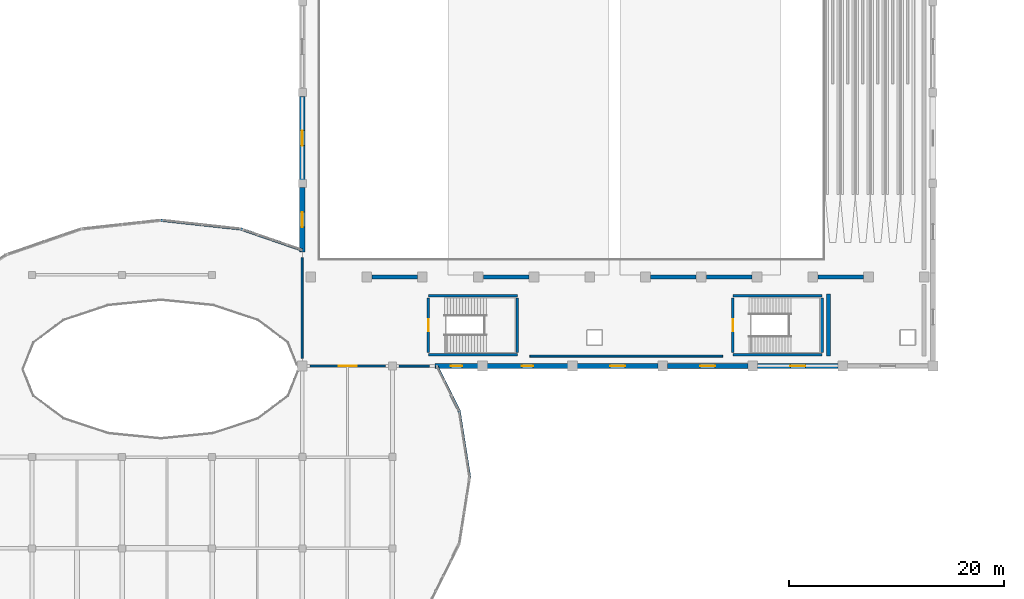
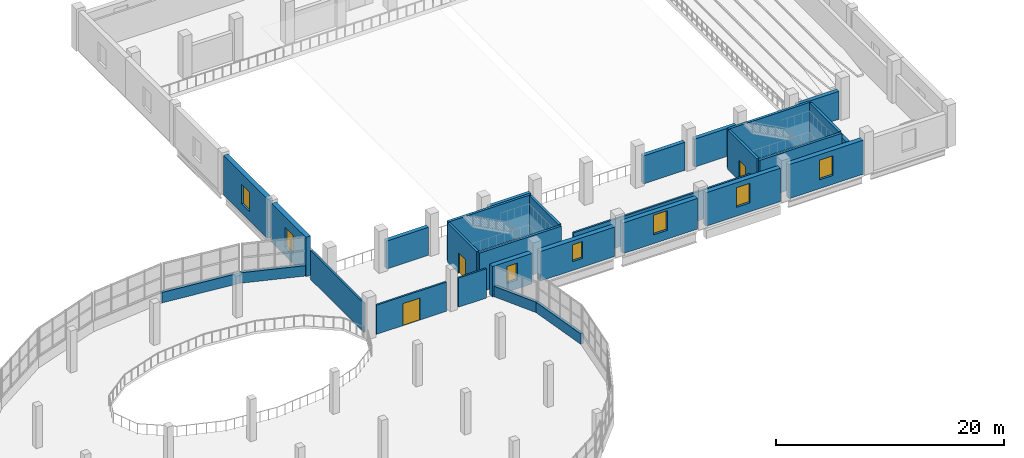
# One storey, part 36 of 50: 29 walls, 7 windows, 3 doors, 10 openings.
"""IFC4 building model written with IfcOpenShell, lengths in metres."""

from ifc_helpers import new_model, si_unit, direction, frame, frame_2d, origin, place, context, subcontext, project, spatial, rectangle, extrude, material, layer, layer_set, type_object, element, fill, save


model = new_model("IFC4")

# Units and contexts
model_context = context("Model", 3, precision=1e-05, world=origin(), true_north=direction((0.0, 1.0)))
body_context = subcontext(model_context, "Body", "Model", "MODEL_VIEW")
ifc_project = project(units=[si_unit("LENGTHUNIT", "METRE"), si_unit("AREAUNIT", "SQUARE_METRE"), si_unit("VOLUMEUNIT", "CUBIC_METRE"), si_unit("PLANEANGLEUNIT", "RADIAN"), si_unit("MASSUNIT", "GRAM", prefix="KILO")], contexts=[model_context])

# Site, building, storey
site_placement = place(None, origin())
site = spatial("IfcSite", under=ifc_project, at=site_placement, CompositionType="ELEMENT")
building_placement = place(site_placement, origin())
building = spatial("IfcBuilding", under=site, at=building_placement, Name="Solvento Point Concert Hall", CompositionType="ELEMENT")
storey_placement = place(building_placement, frame((0.0, 0.0, 15.0)))
storey = spatial("IfcBuildingStorey", under=building, at=storey_placement, Name="L03", CompositionType="ELEMENT", Elevation=15.0)

# Wall
ifc_material_1 = material(Name="Acoustic Double-Stud Gypsum Partition")
ifc_layer_1 = layer(ifc_material_1, 0.179931640625)
ifc_layer_set_1 = layer_set([ifc_layer_1], Name="Acoustic Double-Stud Gypsum Partition")
wall_type_1 = type_object("IfcWallType", Name="AcousticPartition_180", PredefinedType="PARTITIONING", material=ifc_layer_set_1)
wall_1_placement = place(storey_placement, frame((113.580078125, 43.419921875, 0.0), z_axis=(0.0, 0.0, 1.0), x_axis=(-1.0, 0.0, 0.0)))
element("IfcWall", 1, at=wall_1_placement, inside=storey, type_object=wall_type_1, Name="Interior acoustic partition PW-63 L03", PredefinedType="PARTITIONING", context=body_context, shape_type="SweptSolid", body=[
    extrude(rectangle(XDim=17.9599609375, YDim=0.179931640625, at=frame_2d((8.97998046875, 0.0))), origin(), (0.0, 0.0, 1.0), 3.1298828125),
])

# Wall, opening, door
wall_2_placement = place(storey_placement, frame((75.10009765625, 42.47998046875, 0.0), z_axis=(0.0, 0.0, 1.0), x_axis=(1.0, 0.0, 0.0)))
wall_2 = element("IfcWall", 2, at=wall_2_placement, inside=storey, type_object=wall_type_1, Name="Interior acoustic partition PW-63 L03", PredefinedType="PARTITIONING", context=body_context, shape_type="SweptSolid", body=[
    extrude(rectangle(XDim=7.074951171875, YDim=0.179931640625, at=frame_2d((3.53759765625, 0.0))), origin(), (0.0, 0.0, 1.0), 3.1298828125),
])
opening_1_placement = place(wall_2_placement, frame((2.677490234375, 0.0, 0.0)))
opening_1 = element("IfcOpeningElement", 3, at=opening_1_placement, cuts=wall_2, Name="Opening DR-35", PredefinedType="OPENING", context=body_context, shape_type="SweptSolid", body=[
    extrude(rectangle(XDim=1.719970703125, YDim=2.360107421875, at=frame_2d((0.85986328125, 1.18017578125))), frame((0.0, 0.099853515625, 0.0), z_axis=(0.0, -1.0, 0.0), x_axis=(1.0, 0.0, 0.0)), (0.0, 0.0, 1.0), 0.199951171875),
])
ifc_material_2 = material(Name="Brazilian Hardwood Acoustic Door", Category="wood")
door_type_1 = type_object("IfcDoorType", Name="IntDoor_FoyerCafeRetail", OperationType="NOTDEFINED", PredefinedType="DOOR", material=ifc_material_2)
door_1_placement = place(opening_1_placement, origin())
door_1 = element("IfcDoor", 4, at=door_1_placement, inside=storey, type_object=door_type_1, Name="Interior door DR-35 L03", OperationType="SINGLE_SWING_LEFT", OverallHeight=2.360107421875, OverallWidth=1.719970703125, PredefinedType="DOOR", context=body_context, shape_type="SweptSolid", body=[
    extrude(rectangle(XDim=1.719970703125, YDim=2.360107421875, at=frame_2d((0.85986328125, 1.18017578125))), frame((0.0, 0.02490234375, 0.0), z_axis=(0.0, -1.0, 0.0), x_axis=(1.0, 0.0, 0.0)), (0.0, 0.0, 1.0), 0.050048828125),
])
fill(opening_1, door_1)

# Walls
wall_3_placement = place(storey_placement, frame((83.425048828125, 42.47998046875, 0.0), z_axis=(0.0, 0.0, 1.0), x_axis=(1.0, 0.0, 0.0)))
element("IfcWall", 5, at=wall_3_placement, inside=storey, type_object=wall_type_1, Name="Interior acoustic partition PW-63 L03", PredefinedType="PARTITIONING", context=body_context, shape_type="SweptSolid", body=[
    extrude(rectangle(XDim=2.812744140625, YDim=0.179931640625, at=frame_2d((1.40625, 0.0))), origin(), (0.0, 0.0, 1.0), 3.1298828125),
])
wall_4_placement = place(storey_placement, frame((74.3798828125, 52.59912109375, 0.0), z_axis=(0.0, 0.0, 1.0), x_axis=(0.0, -1.0, 0.0)))
element("IfcWall", 6, at=wall_4_placement, inside=storey, type_object=wall_type_1, Name="Interior acoustic partition PW-63 L03", PredefinedType="PARTITIONING", context=body_context, shape_type="SweptSolid", body=[
    extrude(rectangle(XDim=9.399169921875, YDim=0.179931640625, at=frame_2d((4.69970703125, 0.0))), origin(), (0.0, 0.0, 1.0), 3.1298828125),
])
ifc_material_3 = material(Name="Acoustic Double-Stud Gypsum Partition")
ifc_layer_2 = layer(ifc_material_3, 0.364990234375)
ifc_layer_set_2 = layer_set([ifc_layer_2], Name="Acoustic Double-Stud Gypsum Partition")
wall_type_2 = type_object("IfcWallType", Name="AcousticPartition_365", PredefinedType="PARTITIONING", material=ifc_layer_set_2)
wall_5_placement = place(storey_placement, frame((123.469970703125, 43.419921875, 0.0), z_axis=(0.0, 0.0, 1.0), x_axis=(0.0, 1.0, 0.0)))
element("IfcWall", 7, at=wall_5_placement, inside=storey, type_object=wall_type_2, Name="Interior acoustic partition PW-43 L03", PredefinedType="PARTITIONING", context=body_context, shape_type="SweptSolid", body=[
    extrude(rectangle(XDim=5.780517578125, YDim=0.364990234375, at=frame_2d((2.89013671875, 0.0))), origin(), (0.0, 0.0, 1.0), 3.1298828125),
])
ifc_material_4 = material(Name="Concrete C40/50", Category="concrete")
ifc_layer_3 = layer(ifc_material_4, 0.300048828125)
ifc_layer_set_3 = layer_set([ifc_layer_3], Name="Concrete C40/50")
wall_type_3 = type_object("IfcWallType", Name="CoreShearWall_300", PredefinedType="SHEAR", material=ifc_layer_set_3)
for number, where, z_axis, x_axis, name in (
    (8, (94.449951171875, 43.550048828125, 0.0), (0.0, 0.0, 1.0), (-1.0, 0.0, 0.0), "Stair core shear wall W-SH1 ST-06 L03"),
    (9, (86.14990234375, 49.050048828125, 0.0), (0.0, 0.0, 1.0), (1.0, 0.0, 0.0), "Stair core shear wall W-SH1 ST-06 L03"),
):
    element("IfcWall", number, at=place(storey_placement, frame(where, z_axis=z_axis, x_axis=x_axis)), inside=storey, type_object=wall_type_3, Name=name, PredefinedType="SHEAR", context=body_context, shape_type="SweptSolid", body=[
        extrude(rectangle(XDim=8.300048828125, YDim=0.25, at=frame_2d((4.14990234375, 0.0))), origin(), (0.0, 0.0, 1.0), 4.2099609375),
    ])

# Wall, opening, door
wall_6_placement = place(storey_placement, frame((86.14990234375, 43.75, 0.0), z_axis=(0.0, 0.0, 1.0), x_axis=(0.0, 1.0, 0.0)))
wall_6 = element("IfcWall", 10, at=wall_6_placement, inside=storey, type_object=wall_type_3, Name="Stair core shear wall W-SH1 ST-06 L03", PredefinedType="SHEAR", context=body_context, shape_type="SweptSolid", body=[
    extrude(rectangle(XDim=5.10009765625, YDim=0.25, at=frame_2d((2.550048828125, 0.0))), origin(), (0.0, 0.0, 1.0), 4.2099609375),
])
opening_2_placement = place(wall_6_placement, frame((1.97509765625, 0.0, 0.0)))
opening_2 = element("IfcOpeningElement", 11, at=opening_2_placement, cuts=wall_6, Name="Opening D-ST1", PredefinedType="OPENING", context=body_context, shape_type="SweptSolid", body=[
    extrude(rectangle(XDim=1.14990234375, YDim=2.179931640625, at=frame_2d((0.574951171875, 1.08984375))), frame((0.0, 0.135009765625, 0.0), z_axis=(0.0, -1.0, 0.0), x_axis=(1.0, 0.0, 0.0)), (0.0, 0.0, 1.0), 0.27001953125),
])
ifc_material_5 = material(Name="Hollow Metal Acoustic Fire Door")
door_type_2 = type_object("IfcDoorType", Name="StairFireDoor_1150", OperationType="NOTDEFINED", PredefinedType="DOOR", material=ifc_material_5)
door_2_placement = place(opening_2_placement, origin())
door_2 = element("IfcDoor", 12, at=door_2_placement, inside=storey, type_object=door_type_2, Name="Protected exit stair door ST-06 L03", OperationType="SINGLE_SWING_LEFT", OverallHeight=2.179931640625, OverallWidth=1.14990234375, PredefinedType="DOOR", context=body_context, shape_type="SweptSolid", body=[
    extrude(rectangle(XDim=1.14990234375, YDim=2.179931640625, at=frame_2d((0.574951171875, 1.08984375))), frame((0.0, 0.02490234375, 0.0), z_axis=(0.0, -1.0, 0.0), x_axis=(1.0, 0.0, 0.0)), (0.0, 0.0, 1.0), 0.050048828125),
])
fill(opening_2, door_2)

# Walls
wall_7_placement = place(storey_placement, frame((94.449951171875, 48.85009765625, 0.0), z_axis=(0.0, 0.0, 1.0), x_axis=(0.0, -1.0, 0.0)))
element("IfcWall", 13, at=wall_7_placement, inside=storey, type_object=wall_type_3, Name="Stair core shear wall W-SH1 ST-06 L03", PredefinedType="SHEAR", context=body_context, shape_type="SweptSolid", body=[
    extrude(rectangle(XDim=5.10009765625, YDim=0.25, at=frame_2d((2.550048828125, 0.0))), origin(), (0.0, 0.0, 1.0), 4.2099609375),
])
for number, where, z_axis, x_axis, name in (
    (14, (122.85009765625, 43.550048828125, 0.0), (0.0, 0.0, 1.0), (-1.0, 0.0, 0.0), "Stair core shear wall W-SH1 ST-07 L03"),
    (15, (114.550048828125, 49.050048828125, 0.0), (0.0, 0.0, 1.0), (1.0, 0.0, 0.0), "Stair core shear wall W-SH1 ST-07 L03"),
):
    element("IfcWall", number, at=place(storey_placement, frame(where, z_axis=z_axis, x_axis=x_axis)), inside=storey, type_object=wall_type_3, Name=name, PredefinedType="SHEAR", context=body_context, shape_type="SweptSolid", body=[
        extrude(rectangle(XDim=8.300048828125, YDim=0.25, at=frame_2d((4.14990234375, 0.0))), origin(), (0.0, 0.0, 1.0), 4.2099609375),
    ])

# Wall, opening, door
wall_8_placement = place(storey_placement, frame((114.550048828125, 43.75, 0.0), z_axis=(0.0, 0.0, 1.0), x_axis=(0.0, 1.0, 0.0)))
wall_8 = element("IfcWall", 16, at=wall_8_placement, inside=storey, type_object=wall_type_3, Name="Stair core shear wall W-SH1 ST-07 L03", PredefinedType="SHEAR", context=body_context, shape_type="SweptSolid", body=[
    extrude(rectangle(XDim=5.10009765625, YDim=0.25, at=frame_2d((2.550048828125, 0.0))), origin(), (0.0, 0.0, 1.0), 4.2099609375),
])
opening_3_placement = place(wall_8_placement, frame((1.97509765625, 0.0, 0.0)))
opening_3 = element("IfcOpeningElement", 17, at=opening_3_placement, cuts=wall_8, Name="Opening D-ST1", PredefinedType="OPENING", context=body_context, shape_type="SweptSolid", body=[
    extrude(rectangle(XDim=1.14990234375, YDim=2.179931640625, at=frame_2d((0.574951171875, 1.08984375))), frame((0.0, 0.135009765625, 0.0), z_axis=(0.0, -1.0, 0.0), x_axis=(1.0, 0.0, 0.0)), (0.0, 0.0, 1.0), 0.27001953125),
])
door_3_placement = place(opening_3_placement, origin())
door_3 = element("IfcDoor", 18, at=door_3_placement, inside=storey, type_object=door_type_2, Name="Protected exit stair door ST-07 L03", OperationType="SINGLE_SWING_RIGHT", OverallHeight=2.179931640625, OverallWidth=1.14990234375, PredefinedType="DOOR", context=body_context, shape_type="SweptSolid", body=[
    extrude(rectangle(XDim=1.14990234375, YDim=2.179931640625, at=frame_2d((0.574951171875, 1.08984375))), frame((0.0, 0.02490234375, 0.0), z_axis=(0.0, -1.0, 0.0), x_axis=(1.0, 0.0, 0.0)), (0.0, 0.0, 1.0), 0.050048828125),
])
fill(opening_3, door_3)

# Walls
wall_9_placement = place(storey_placement, frame((122.85009765625, 48.85009765625, 0.0), z_axis=(0.0, 0.0, 1.0), x_axis=(0.0, -1.0, 0.0)))
element("IfcWall", 19, at=wall_9_placement, inside=storey, type_object=wall_type_3, Name="Stair core shear wall W-SH1 ST-07 L03", PredefinedType="SHEAR", context=body_context, shape_type="SweptSolid", body=[
    extrude(rectangle(XDim=5.10009765625, YDim=0.25, at=frame_2d((2.550048828125, 0.0))), origin(), (0.0, 0.0, 1.0), 4.2099609375),
])
ifc_material_6 = material(Name="Concrete C40/50", Category="concrete")
ifc_layer_4 = layer(ifc_material_6, 0.39990234375)
ifc_layer_set_4 = layer_set([ifc_layer_4], Name="Concrete C40/50")
wall_type_4 = type_object("IfcWallType", Name="DrumShearWall_400", PredefinedType="SHEAR", material=ifc_layer_set_4)
wall_10_placement = place(storey_placement, frame((80.8798828125, 50.800048828125, 0.0), z_axis=(0.0, 0.0, 1.0), x_axis=(1.0, 0.0, 0.0)))
element("IfcWall", 20, at=wall_10_placement, inside=storey, type_object=wall_type_4, Name="Symphonic acoustic drum shear wall W-DR1 L03", PredefinedType="SHEAR", context=body_context, shape_type="SweptSolid", body=[
    extrude(rectangle(XDim=4.240234375, YDim=0.39990234375, at=frame_2d((2.1201171875, 0.0))), origin(), (0.0, 0.0, 1.0), 3.0),
])
wall_11_placement = place(storey_placement, frame((91.280029296875, 50.800048828125, 0.0), z_axis=(0.0, 0.0, 1.0), x_axis=(1.0, 0.0, 0.0)))
element("IfcWall", 21, at=wall_11_placement, inside=storey, type_object=wall_type_4, Name="Symphonic acoustic drum shear wall W-DR1 L03", PredefinedType="SHEAR", context=body_context, shape_type="SweptSolid", body=[
    extrude(rectangle(XDim=4.239990234375, YDim=0.39990234375, at=frame_2d((2.1201171875, 0.0))), origin(), (0.0, 0.0, 1.0), 3.0),
])
wall_12_placement = place(storey_placement, frame((106.8798828125, 50.800048828125, 0.0), z_axis=(0.0, 0.0, 1.0), x_axis=(1.0, 0.0, 0.0)))
element("IfcWall", 22, at=wall_12_placement, inside=storey, type_object=wall_type_4, Name="Symphonic acoustic drum shear wall W-DR1 L03", PredefinedType="SHEAR", context=body_context, shape_type="SweptSolid", body=[
    extrude(rectangle(XDim=4.240234375, YDim=0.39990234375, at=frame_2d((2.1201171875, 0.0))), origin(), (0.0, 0.0, 1.0), 3.0),
])
for number, where, z_axis, x_axis, name in (
    (23, (112.080078125, 50.800048828125, 0.0), (0.0, 0.0, 1.0), (1.0, 0.0, 0.0), "Symphonic acoustic drum shear wall W-DR1 L03"),
    (24, (122.47998046875, 50.800048828125, 0.0), (0.0, 0.0, 1.0), (1.0, 0.0, 0.0), "Symphonic acoustic drum shear wall W-DR1 L03"),
):
    element("IfcWall", number, at=place(storey_placement, frame(where, z_axis=z_axis, x_axis=x_axis)), inside=storey, type_object=wall_type_4, Name=name, PredefinedType="SHEAR", context=body_context, shape_type="SweptSolid", body=[
        extrude(rectangle(XDim=4.239990234375, YDim=0.39990234375, at=frame_2d((2.1201171875, 0.0))), origin(), (0.0, 0.0, 1.0), 3.0),
    ])

# Wall, opening, window
ifc_material_7 = material(Name="Concrete C40/50", Category="concrete")
ifc_layer_5 = layer(ifc_material_7, 0.47998046875)
ifc_layer_set_5 = layer_set([ifc_layer_5], Name="Concrete C40/50")
wall_type_5 = type_object("IfcWallType", Name="ExtWall_V1_Drum_480", PredefinedType="SOLIDWALL", material=ifc_layer_set_5)
wall_13_placement = place(storey_placement, frame((74.39990234375, 53.138916015625, 0.0), z_axis=(0.0, 0.0, 1.0), x_axis=(0.0, 1.0, 0.0)))
wall_13 = element("IfcWall", 25, at=wall_13_placement, inside=storey, type_object=wall_type_5, Name="Exterior architectural concrete wall EW-46 L03", PredefinedType="SOLIDWALL", context=body_context, shape_type="SweptSolid", body=[
    extrude(rectangle(XDim=6.006103515625, YDim=0.47998046875, at=frame_2d((3.0029296875, 0.0))), origin(), (0.0, 0.0, 1.0), 4.2099609375),
])
opening_4_placement = place(wall_13_placement, frame((2.302978515625, 0.0, 0.949951171875)))
opening_4 = element("IfcOpeningElement", 26, at=opening_4_placement, cuts=wall_13, Name="Opening WN-52", PredefinedType="OPENING", context=body_context, shape_type="SweptSolid", body=[
    extrude(rectangle(XDim=1.39990234375, YDim=2.10009765625, at=frame_2d((0.699951171875, 1.050048828125))), frame((0.0, 0.25, 0.0), z_axis=(0.0, -1.0, 0.0), x_axis=(1.0, 0.0, 0.0)), (0.0, 0.0, 1.0), 0.5),
])
ifc_material_8 = material(Name="Hurricane Laminated Low-E Glass", Category="glass")
window_type_1 = type_object("IfcWindowType", Name="Win_V1_VineyardSlot_L03", PartitioningType="SINGLE_PANEL", PredefinedType="WINDOW", material=ifc_material_8)
window_1_placement = place(opening_4_placement, origin())
window_1 = element("IfcWindow", 27, at=window_1_placement, inside=storey, type_object=window_type_1, Name="Impact acoustic window WN-52", OverallHeight=2.10009765625, OverallWidth=1.39990234375, PartitioningType="SINGLE_PANEL", PredefinedType="WINDOW", context=body_context, shape_type="SweptSolid", body=[
    extrude(rectangle(XDim=1.39990234375, YDim=2.10009765625, at=frame_2d((0.699951171875, 1.050048828125))), frame((0.0, 0.030029296875, 0.0), z_axis=(0.0, -1.0, 0.0), x_axis=(1.0, 0.0, 0.0)), (0.0, 0.0, 1.0), 0.06005859375),
])
fill(opening_4, window_1)

wall_14_placement = place(storey_placement, frame((74.39990234375, 59.85498046875, 0.0), z_axis=(0.0, 0.0, 1.0), x_axis=(0.0, 1.0, 0.0)))
wall_14 = element("IfcWall", 28, at=wall_14_placement, inside=storey, type_object=wall_type_5, Name="Exterior architectural concrete wall EW-46 L03", PredefinedType="SOLIDWALL", context=body_context, shape_type="SweptSolid", body=[
    extrude(rectangle(XDim=7.7900390625, YDim=0.47998046875, at=frame_2d((3.89501953125, 0.0))), origin(), (0.0, 0.0, 1.0), 4.2099609375),
])
opening_5_placement = place(wall_14_placement, frame((3.195068359375, 0.0, 0.949951171875)))
opening_5 = element("IfcOpeningElement", 29, at=opening_5_placement, cuts=wall_14, Name="Opening WN-52", PredefinedType="OPENING", context=body_context, shape_type="SweptSolid", body=[
    extrude(rectangle(XDim=1.39990234375, YDim=2.10009765625, at=frame_2d((0.699951171875, 1.050048828125))), frame((0.0, 0.25, 0.0), z_axis=(0.0, -1.0, 0.0), x_axis=(1.0, 0.0, 0.0)), (0.0, 0.0, 1.0), 0.5),
])
window_2_placement = place(opening_5_placement, origin())
window_2 = element("IfcWindow", 30, at=window_2_placement, inside=storey, type_object=window_type_1, Name="Impact acoustic window WN-52", OverallHeight=2.10009765625, OverallWidth=1.39990234375, PartitioningType="SINGLE_PANEL", PredefinedType="WINDOW", context=body_context, shape_type="SweptSolid", body=[
    extrude(rectangle(XDim=1.39990234375, YDim=2.10009765625, at=frame_2d((0.699951171875, 1.050048828125))), frame((0.0, 0.030029296875, 0.0), z_axis=(0.0, -1.0, 0.0), x_axis=(1.0, 0.0, 0.0)), (0.0, 0.0, 1.0), 0.06005859375),
])
fill(opening_5, window_2)

wall_15_placement = place(storey_placement, frame((90.77001953125, 42.5, 0.0), z_axis=(0.0, 0.0, 1.0), x_axis=(-1.0, 0.0, 0.0)))
wall_15 = element("IfcWall", 31, at=wall_15_placement, inside=storey, type_object=wall_type_5, Name="Exterior architectural concrete wall EW-46 L03", PredefinedType="SOLIDWALL", context=body_context, shape_type="SweptSolid", body=[
    extrude(rectangle(XDim=3.9931640625, YDim=0.47998046875, at=frame_2d((1.99658203125, 0.0))), origin(), (0.0, 0.0, 1.0), 3.26708984375),
])
opening_6_placement = place(wall_15_placement, frame((1.4716796875, 0.0, 0.949951171875)))
opening_6 = element("IfcOpeningElement", 32, at=opening_6_placement, cuts=wall_15, Name="Opening WN-89", PredefinedType="OPENING", context=body_context, shape_type="SweptSolid", body=[
    extrude(rectangle(XDim=1.050048828125, YDim=1.800048828125, at=frame_2d((0.52490234375, 0.89990234375))), frame((0.0, 0.25, 0.0), z_axis=(0.0, -1.0, 0.0), x_axis=(1.0, 0.0, 0.0)), (0.0, 0.0, 1.0), 0.5),
])
ifc_material_9 = material(Name="Hurricane Laminated Low-E Glass", Category="glass")
window_type_2 = type_object("IfcWindowType", Name="Win_NarrowPier_1050", PartitioningType="SINGLE_PANEL", PredefinedType="WINDOW", material=ifc_material_9)
window_3_placement = place(opening_6_placement, origin())
window_3 = element("IfcWindow", 33, at=window_3_placement, inside=storey, type_object=window_type_2, Name="Impact acoustic window WN-89", OverallHeight=1.800048828125, OverallWidth=1.050048828125, PartitioningType="SINGLE_PANEL", PredefinedType="WINDOW", context=body_context, shape_type="SweptSolid", body=[
    extrude(rectangle(XDim=1.050048828125, YDim=1.800048828125, at=frame_2d((0.52490234375, 0.89990234375))), frame((0.0, 0.030029296875, 0.0), z_axis=(0.0, -1.0, 0.0), x_axis=(1.0, 0.0, 0.0)), (0.0, 0.0, 1.0), 0.06005859375),
])
fill(opening_6, window_3)

wall_16_placement = place(storey_placement, frame((99.169921875, 42.5, 0.0), z_axis=(0.0, 0.0, 1.0), x_axis=(-1.0, 0.0, 0.0)))
wall_16 = element("IfcWall", 34, at=wall_16_placement, inside=storey, type_object=wall_type_5, Name="Exterior architectural concrete wall EW-46 L03", PredefinedType="SOLIDWALL", context=body_context, shape_type="SweptSolid", body=[
    extrude(rectangle(XDim=7.5400390625, YDim=0.47998046875, at=frame_2d((3.77001953125, 0.0))), origin(), (0.0, 0.0, 1.0), 3.16796875),
])
opening_7_placement = place(wall_16_placement, frame((3.2451171875, 0.0, 0.949951171875)))
opening_7 = element("IfcOpeningElement", 35, at=opening_7_placement, cuts=wall_16, Name="Opening WN-89", PredefinedType="OPENING", context=body_context, shape_type="SweptSolid", body=[
    extrude(rectangle(XDim=1.050048828125, YDim=1.800048828125, at=frame_2d((0.52490234375, 0.89990234375))), frame((0.0, 0.25, 0.0), z_axis=(0.0, -1.0, 0.0), x_axis=(1.0, 0.0, 0.0)), (0.0, 0.0, 1.0), 0.5),
])
window_4_placement = place(opening_7_placement, origin())
window_4 = element("IfcWindow", 36, at=window_4_placement, inside=storey, type_object=window_type_2, Name="Impact acoustic window WN-89", OverallHeight=1.800048828125, OverallWidth=1.050048828125, PartitioningType="SINGLE_PANEL", PredefinedType="WINDOW", context=body_context, shape_type="SweptSolid", body=[
    extrude(rectangle(XDim=1.050048828125, YDim=1.800048828125, at=frame_2d((0.52490234375, 0.89990234375))), frame((0.0, 0.030029296875, 0.0), z_axis=(0.0, -1.0, 0.0), x_axis=(1.0, 0.0, 0.0)), (0.0, 0.0, 1.0), 0.06005859375),
])
fill(opening_7, window_4)

wall_17_placement = place(storey_placement, frame((107.570068359375, 42.5, 0.0), z_axis=(0.0, 0.0, 1.0), x_axis=(-1.0, 0.0, 0.0)))
wall_17 = element("IfcWall", 37, at=wall_17_placement, inside=storey, type_object=wall_type_5, Name="Exterior architectural concrete wall EW-46 L03", PredefinedType="SOLIDWALL", context=body_context, shape_type="SweptSolid", body=[
    extrude(rectangle(XDim=7.5400390625, YDim=0.47998046875, at=frame_2d((3.77001953125, 0.0))), origin(), (0.0, 0.0, 1.0), 3.2939453125),
])
opening_8_placement = place(wall_17_placement, frame((3.070068359375, 0.0, 0.949951171875)))
opening_8 = element("IfcOpeningElement", 38, at=opening_8_placement, cuts=wall_17, Name="Opening WN-52", PredefinedType="OPENING", context=body_context, shape_type="SweptSolid", body=[
    extrude(rectangle(XDim=1.39990234375, YDim=2.10009765625, at=frame_2d((0.699951171875, 1.050048828125))), frame((0.0, 0.25, 0.0), z_axis=(0.0, -1.0, 0.0), x_axis=(1.0, 0.0, 0.0)), (0.0, 0.0, 1.0), 0.5),
])
window_5_placement = place(opening_8_placement, origin())
window_5 = element("IfcWindow", 39, at=window_5_placement, inside=storey, type_object=window_type_1, Name="Impact acoustic window WN-52", OverallHeight=2.10009765625, OverallWidth=1.39990234375, PartitioningType="SINGLE_PANEL", PredefinedType="WINDOW", context=body_context, shape_type="SweptSolid", body=[
    extrude(rectangle(XDim=1.39990234375, YDim=2.10009765625, at=frame_2d((0.699951171875, 1.050048828125))), frame((0.0, 0.030029296875, 0.0), z_axis=(0.0, -1.0, 0.0), x_axis=(1.0, 0.0, 0.0)), (0.0, 0.0, 1.0), 0.06005859375),
])
fill(opening_8, window_5)

wall_18_placement = place(storey_placement, frame((115.969970703125, 42.5, 0.0), z_axis=(0.0, 0.0, 1.0), x_axis=(-1.0, 0.0, 0.0)))
wall_18 = element("IfcWall", 40, at=wall_18_placement, inside=storey, type_object=wall_type_5, Name="Exterior architectural concrete wall EW-46 L03", PredefinedType="SOLIDWALL", context=body_context, shape_type="SweptSolid", body=[
    extrude(rectangle(XDim=7.5400390625, YDim=0.47998046875, at=frame_2d((3.77001953125, 0.0))), origin(), (0.0, 0.0, 1.0), 3.5859375),
])
opening_9_placement = place(wall_18_placement, frame((3.070068359375, 0.0, 0.949951171875)))
opening_9 = element("IfcOpeningElement", 41, at=opening_9_placement, cuts=wall_18, Name="Opening WN-52", PredefinedType="OPENING", context=body_context, shape_type="SweptSolid", body=[
    extrude(rectangle(XDim=1.39990234375, YDim=2.10009765625, at=frame_2d((0.699951171875, 1.050048828125))), frame((0.0, 0.25, 0.0), z_axis=(0.0, -1.0, 0.0), x_axis=(1.0, 0.0, 0.0)), (0.0, 0.0, 1.0), 0.5),
])
window_6_placement = place(opening_9_placement, origin())
window_6 = element("IfcWindow", 42, at=window_6_placement, inside=storey, type_object=window_type_1, Name="Impact acoustic window WN-52", OverallHeight=2.10009765625, OverallWidth=1.39990234375, PartitioningType="SINGLE_PANEL", PredefinedType="WINDOW", context=body_context, shape_type="SweptSolid", body=[
    extrude(rectangle(XDim=1.39990234375, YDim=2.10009765625, at=frame_2d((0.699951171875, 1.050048828125))), frame((0.0, 0.030029296875, 0.0), z_axis=(0.0, -1.0, 0.0), x_axis=(1.0, 0.0, 0.0)), (0.0, 0.0, 1.0), 0.06005859375),
])
fill(opening_9, window_6)

wall_19_placement = place(storey_placement, frame((124.3701171875, 42.5, 0.0), z_axis=(0.0, 0.0, 1.0), x_axis=(-1.0, 0.0, 0.0)))
wall_19 = element("IfcWall", 43, at=wall_19_placement, inside=storey, type_object=wall_type_5, Name="Exterior architectural concrete wall EW-46 L03", PredefinedType="SOLIDWALL", context=body_context, shape_type="SweptSolid", body=[
    extrude(rectangle(XDim=7.5400390625, YDim=0.47998046875, at=frame_2d((3.77001953125, 0.0))), origin(), (0.0, 0.0, 1.0), 3.64501953125),
])
opening_10_placement = place(wall_19_placement, frame((3.070068359375, 0.0, 0.949951171875)))
opening_10 = element("IfcOpeningElement", 44, at=opening_10_placement, cuts=wall_19, Name="Opening WN-52", PredefinedType="OPENING", context=body_context, shape_type="SweptSolid", body=[
    extrude(rectangle(XDim=1.39990234375, YDim=2.10009765625, at=frame_2d((0.699951171875, 1.050048828125))), frame((0.0, 0.25, 0.0), z_axis=(0.0, -1.0, 0.0), x_axis=(1.0, 0.0, 0.0)), (0.0, 0.0, 1.0), 0.5),
])
window_7_placement = place(opening_10_placement, origin())
window_7 = element("IfcWindow", 45, at=window_7_placement, inside=storey, type_object=window_type_1, Name="Impact acoustic window WN-52", OverallHeight=2.10009765625, OverallWidth=1.39990234375, PartitioningType="SINGLE_PANEL", PredefinedType="WINDOW", context=body_context, shape_type="SweptSolid", body=[
    extrude(rectangle(XDim=1.39990234375, YDim=2.10009765625, at=frame_2d((0.699951171875, 1.050048828125))), frame((0.0, 0.030029296875, 0.0), z_axis=(0.0, -1.0, 0.0), x_axis=(1.0, 0.0, 0.0)), (0.0, 0.0, 1.0), 0.06005859375),
])
fill(opening_10, window_7)

# Walls
ifc_material_10 = material(Name="Concrete C40/50", Category="concrete")
ifc_layer_6 = layer(ifc_material_10, 0.260009765625)
ifc_layer_set_6 = layer_set([ifc_layer_6], Name="Concrete C40/50")
wall_type_6 = type_object("IfcWallType", Name="Parapet_Ring_260", PredefinedType="PARAPET", material=ifc_layer_set_6)
wall_20_placement = place(storey_placement, frame((61.199951171875, 56.10009765625, 0.0), z_axis=(0.0, 0.0, 1.0), x_axis=(0.994034465911, -0.109066404454, 0.0)))
element("IfcWall", 46, at=wall_20_placement, inside=storey, type_object=wall_type_6, Name="Sliding elliptical white concrete ring spandrel PR-01 L03", PredefinedType="PARAPET", context=body_context, shape_type="SweptSolid", body=[
    extrude(rectangle(XDim=7.498779296875, YDim=0.260009765625, at=frame_2d((3.74951171875, 0.0))), origin(), (0.0, 0.0, 1.0), 1.1201171875),
])
wall_21_placement = place(storey_placement, frame((68.654052734375, 55.2822265625, 0.0), z_axis=(0.0, 0.0, 1.0), x_axis=(0.945267933336, -0.326295164241, 0.0)))
element("IfcWall", 47, at=wall_21_placement, inside=storey, type_object=wall_type_6, Name="Sliding elliptical white concrete ring spandrel PR-01 L03", PredefinedType="PARAPET", context=body_context, shape_type="SweptSolid", body=[
    extrude(rectangle(XDim=6.07861328125, YDim=0.260009765625, at=frame_2d((3.039306640625, 0.0))), origin(), (0.0, 0.0, 1.0), 1.1201171875),
])
wall_22_placement = place(storey_placement, frame((86.936767578125, 42.5, 0.0), z_axis=(0.0, 0.0, 1.0), x_axis=(0.445145356676, -0.895458324787, 0.0)))
element("IfcWall", 48, at=wall_22_placement, inside=storey, type_object=wall_type_6, Name="Sliding elliptical white concrete ring spandrel PR-01 L03", PredefinedType="PARAPET", context=body_context, shape_type="SweptSolid", body=[
    extrude(rectangle(XDim=4.67724609375, YDim=0.260009765625, at=frame_2d((2.338623046875, 0.0))), origin(), (0.0, 0.0, 1.0), 1.1201171875),
])
wall_23_placement = place(storey_placement, frame((89.018798828125, 38.311767578125, 0.0), z_axis=(0.0, 0.0, 1.0), x_axis=(0.156026367443, -0.987752890485, 0.0)))
element("IfcWall", 49, at=wall_23_placement, inside=storey, type_object=wall_type_6, Name="Sliding elliptical white concrete ring spandrel PR-01 L03", PredefinedType="PARAPET", context=body_context, shape_type="SweptSolid", body=[
    extrude(rectangle(XDim=6.28857421875, YDim=0.260009765625, at=frame_2d((3.144287109375, 0.0))), origin(), (0.0, 0.0, 1.0), 1.1201171875),
])

save(model, "model.ifc")
